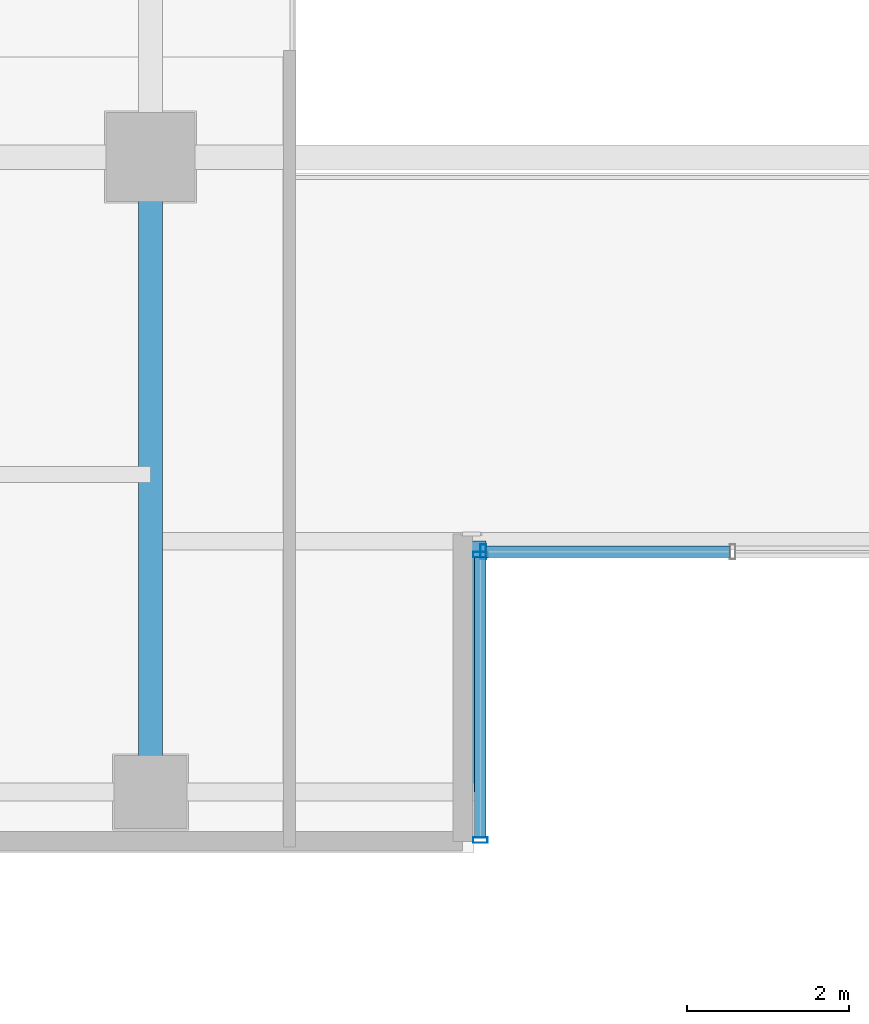
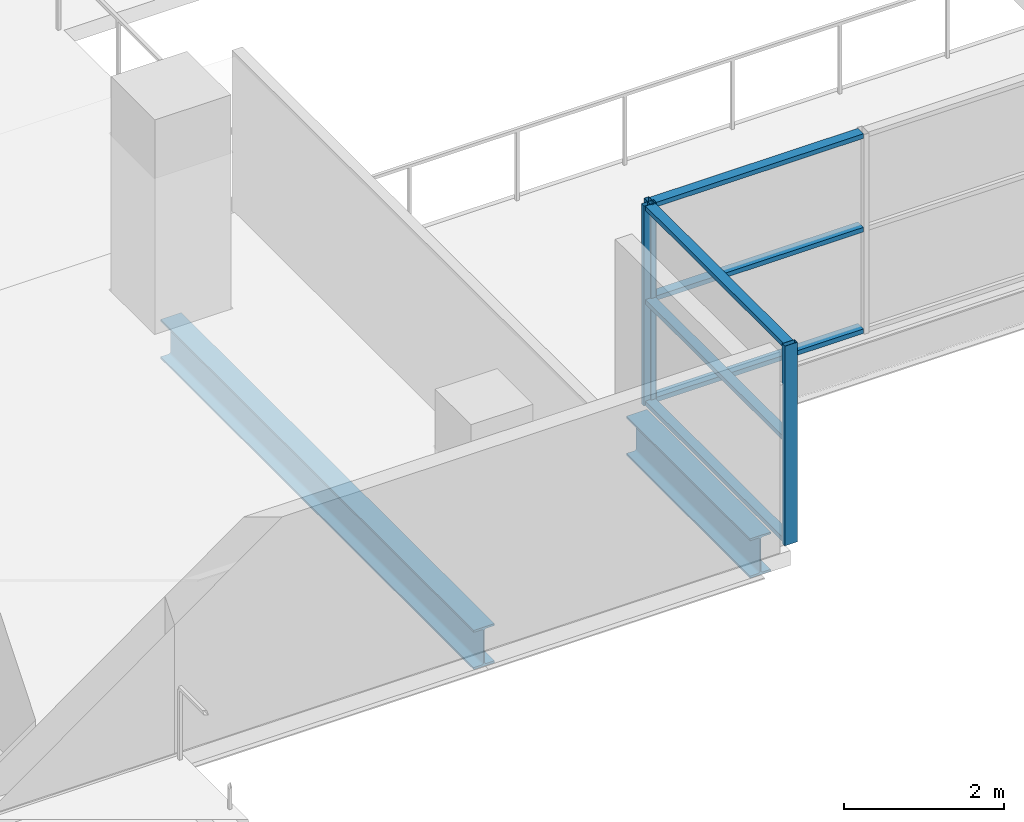
# One storey, part 6 of 30: 9 members, 2 beams, 2 elements without a shape of their own.
"""IFC4 building model written with IfcOpenShell, lengths in metres."""

from ifc_helpers import new_model, si_unit, direction, frame, origin, origin_2d, place, context, subcontext, project, spatial, hollow_rectangle, i_section, extrude, source, transform, mapped, material, layer, layer_set, material_profile, profile_set, type_object, element, aggregate, save


model = new_model("IFC4")

# Units and contexts
model_context = context("Model", 3, precision=1e-05, world=origin(), true_north=direction((0.0, 1.0)))
body_context = subcontext(model_context, "Body", "Model", "MODEL_VIEW")
ifc_project = project(units=[si_unit("LENGTHUNIT", "METRE"), si_unit("AREAUNIT", "SQUARE_METRE"), si_unit("VOLUMEUNIT", "CUBIC_METRE"), si_unit("PLANEANGLEUNIT", "RADIAN"), si_unit("MASSUNIT", "GRAM", prefix="KILO")], contexts=[model_context])

# Site, building, storey
site_placement = place(None, origin())
site = spatial("IfcSite", under=ifc_project, at=site_placement, CompositionType="ELEMENT")
building_placement = place(site_placement, origin())
building = spatial("IfcBuilding", under=site, at=building_placement, Name="Zarnakvel Exchange Tower", CompositionType="ELEMENT")
storey_placement = place(building_placement, frame((0.0, 0.0, 43.89990234375)))
storey = spatial("IfcBuildingStorey", under=building, at=storey_placement, Name="L11", CompositionType="ELEMENT", Elevation=43.89990234375)

# Beams
ifc_material_1 = material(Name="Steel S355", Category="steel")
ifc_material_profile_1 = material_profile(ifc_material_1, i_section(OverallWidth=0.300048828125, OverallDepth=0.60009765625, WebThickness=0.015380859375, FlangeThickness=0.030029296875, FilletRadius=0.027099609375, at=origin_2d()))
ifc_profile_set_1 = profile_set([ifc_material_profile_1], Name="Steel S355")
beam_type = type_object("IfcBeamType", Name="G-04", PredefinedType="BEAM", material=ifc_profile_set_1)
beam_1_placement = place(storey_placement, frame((-3.199951171875, -17.449951171875, -0.52490234375), z_axis=(0.0, 1.0, 0.0), x_axis=(-1.0, 0.0, 0.0)))
element("IfcBeam", 1, at=beam_1_placement, inside=storey, type_object=beam_type, Name="L11 South Slot West Cheek Beam", PredefinedType="BEAM", context=body_context, shape_type="SweptSolid", body=[
    extrude(i_section(OverallWidth=0.300048828125, OverallDepth=0.60009765625, WebThickness=0.015380859375, FlangeThickness=0.030029296875, FilletRadius=0.027099609375, at=origin_2d()), origin(), (0.0, 0.0, 1.0), 3.099853515625),
])
beam_2_placement = place(storey_placement, frame((-7.199951171875, -17.449951171875, -0.52490234375), z_axis=(0.0, 1.0, 0.0), x_axis=(-1.0, 0.0, 0.0)))
element("IfcBeam", 2, at=beam_2_placement, inside=storey, type_object=beam_type, Name="L11 Tower N-S Frame Beam", PredefinedType="BEAM", context=body_context, shape_type="SweptSolid", body=[
    extrude(i_section(OverallWidth=0.300048828125, OverallDepth=0.60009765625, WebThickness=0.015380859375, FlangeThickness=0.030029296875, FilletRadius=0.027099609375, at=origin_2d()), origin(), (0.0, 0.0, 1.0), 7.849853515625),
])

# Curtain wall, members
ifc_material_2 = material(Name="Architectural Bronze Anodised Aluminium", Category="aluminium")
ifc_layer = layer(ifc_material_2, 0.179931640625)
ifc_layer_set = layer_set([ifc_layer], Name="Architectural Bronze Anodised Aluminium")
curtain_wall_type = type_object("IfcCurtainWallType", Name="CW-05", PredefinedType="NOTDEFINED", material=ifc_layer_set)
curtain_wall_1_placement = place(storey_placement, origin())
curtain_wall_1 = element("IfcCurtainWall", 3, at=curtain_wall_1_placement, inside=storey, type_object=curtain_wall_type, Name="L11 Curtain Wall CW-L11-SLW (CW-05)", PredefinedType="NOTDEFINED")
ifc_material_profile_2 = material_profile(ifc_material_2, hollow_rectangle(XDim=0.179931640625, YDim=0.070068359375, WallThickness=0.00390625, at=origin_2d()))
ifc_profile_set_2 = profile_set([ifc_material_profile_2], Name="Architectural Bronze Anodised Aluminium")
member_type_1 = type_object("IfcMemberType", Name="CWM-05", PredefinedType="MULLION", material=ifc_profile_set_2)
shared_shape_1 = source(origin(), body_context, "Body", "SweptSolid", [
    extrude(hollow_rectangle(XDim=0.179931640625, YDim=0.070068359375, WallThickness=0.00390625, at=origin_2d()), origin(), (0.0, 0.0, 1.0), 3.05517578125),
])
member_1_placement = place(storey_placement, frame((-3.1201171875, -18.044921875, 0.0), z_axis=(0.0, 0.0, 1.0), x_axis=(-1.0, 0.0, 0.0)))
member_1 = element("IfcMember", 4, at=member_1_placement, type_object=member_type_1, Name="CW-05 mullion 1", PredefinedType="MULLION", context=body_context, shape_type="MappedRepresentation", body=[
    mapped(shared_shape_1, transform((0.0, 0.0, 0.0), x_axis=(1.0, 0.0, 0.0), y_axis=(0.0, 1.0, 0.0), z_axis=(0.0, 0.0, 1.0), scale=1.0)),
])
member_2_placement = place(storey_placement, frame((-3.1201171875, -14.514892578125, 0.0), z_axis=(0.0, 0.0, 1.0), x_axis=(-1.0, 0.0, 0.0)))
member_2 = element("IfcMember", 5, at=member_2_placement, type_object=member_type_1, Name="CW-05 mullion 2", PredefinedType="MULLION", context=body_context, shape_type="MappedRepresentation", body=[
    mapped(shared_shape_1, transform((0.0, 0.0, 0.0), x_axis=(1.0, 0.0, 0.0), y_axis=(0.0, 1.0, 0.0), z_axis=(0.0, 0.0, 1.0), scale=1.0)),
])

# Curtain wall, member
curtain_wall_2_placement = place(storey_placement, origin())
curtain_wall_2 = element("IfcCurtainWall", 6, at=curtain_wall_2_placement, inside=storey, type_object=curtain_wall_type, Name="L11 Curtain Wall CW-L11-SLB (CW-05)", PredefinedType="NOTDEFINED")
member_3_placement = place(storey_placement, frame((-3.0849609375, -14.47998046875, 0.0), z_axis=(0.0, 0.0, 1.0), x_axis=(0.0, 1.0, 0.0)))
member_3 = element("IfcMember", 7, at=member_3_placement, type_object=member_type_1, Name="CW-05 mullion 1", PredefinedType="MULLION", context=body_context, shape_type="MappedRepresentation", body=[
    mapped(shared_shape_1, transform((0.0, 0.0, 0.0), x_axis=(1.0, 0.0, 0.0), y_axis=(0.0, 1.0, 0.0), z_axis=(0.0, 0.0, 1.0), scale=1.0)),
])

# Member
ifc_material_profile_3 = material_profile(ifc_material_2, hollow_rectangle(XDim=0.139892578125, YDim=0.070068359375, WallThickness=0.00390625, at=origin_2d()))
ifc_profile_set_3 = profile_set([ifc_material_profile_3], Name="Architectural Bronze Anodised Aluminium")
member_type_2 = type_object("IfcMemberType", Name="CWT-05", PredefinedType="USERDEFINED", material=ifc_profile_set_3)
shared_shape_2 = source(origin(), body_context, "Body", "SweptSolid", [
    extrude(hollow_rectangle(XDim=0.139892578125, YDim=0.070068359375, WallThickness=0.00390625, at=origin_2d()), origin(), (0.0, 0.0, 1.0), 3.4599609375),
])
member_4_placement = place(storey_placement, frame((-3.1201171875, -18.010009765625, 0.03515625), z_axis=(0.0, 1.0, 0.0), x_axis=(-1.0, 0.0, 0.0)))
member_4 = element("IfcMember", 8, at=member_4_placement, type_object=member_type_2, Name="CW-05 transom 1.1", ObjectType="TRANSOM", PredefinedType="USERDEFINED", context=body_context, shape_type="MappedRepresentation", body=[
    mapped(shared_shape_2, transform((0.0, 0.0, 0.0), x_axis=(1.0, 0.0, 0.0), y_axis=(0.0, 1.0, 0.0), z_axis=(0.0, 0.0, 1.0), scale=1.0)),
])

member_5_placement = place(storey_placement, frame((-3.1201171875, -18.010009765625, 1.588623046875), z_axis=(0.0, 1.0, 0.0), x_axis=(-1.0, 0.0, 0.0)))
member_5 = element("IfcMember", 9, at=member_5_placement, type_object=member_type_2, Name="CW-05 transom 1.2", ObjectType="TRANSOM", PredefinedType="USERDEFINED", context=body_context, shape_type="MappedRepresentation", body=[
    mapped(shared_shape_2, transform((0.0, 0.0, 0.0), x_axis=(1.0, 0.0, 0.0), y_axis=(0.0, 1.0, 0.0), z_axis=(0.0, 0.0, 1.0), scale=1.0)),
])

member_6_placement = place(storey_placement, frame((-3.1201171875, -18.010009765625, 3.02001953125), z_axis=(0.0, 1.0, 0.0), x_axis=(-1.0, 0.0, 0.0)))
member_6 = element("IfcMember", 10, at=member_6_placement, type_object=member_type_2, Name="CW-05 transom 1.3", ObjectType="TRANSOM", PredefinedType="USERDEFINED", context=body_context, shape_type="MappedRepresentation", body=[
    mapped(shared_shape_2, transform((0.0, 0.0, 0.0), x_axis=(1.0, 0.0, 0.0), y_axis=(0.0, 1.0, 0.0), z_axis=(0.0, 0.0, 1.0), scale=1.0)),
])

aggregate(curtain_wall_1, [member_1, member_2, member_4, member_5, member_6])

shared_shape_3 = source(origin(), body_context, "Body", "SweptSolid", [
    extrude(hollow_rectangle(XDim=0.139892578125, YDim=0.070068359375, WallThickness=0.00390625, at=origin_2d()), origin(), (0.0, 0.0, 1.0), 3.01513671875),
])
member_7_placement = place(storey_placement, frame((-3.050048828125, -14.47998046875, 0.03515625), z_axis=(1.0, 0.0, 0.0), x_axis=(0.0, 1.0, 0.0)))
member_7 = element("IfcMember", 11, at=member_7_placement, type_object=member_type_2, Name="CW-05 transom 1.1", ObjectType="TRANSOM", PredefinedType="USERDEFINED", context=body_context, shape_type="MappedRepresentation", body=[
    mapped(shared_shape_3, transform((0.0, 0.0, 0.0), x_axis=(1.0, 0.0, 0.0), y_axis=(0.0, 1.0, 0.0), z_axis=(0.0, 0.0, 1.0), scale=1.0)),
])

member_8_placement = place(storey_placement, frame((-3.050048828125, -14.47998046875, 1.588623046875), z_axis=(1.0, 0.0, 0.0), x_axis=(0.0, 1.0, 0.0)))
member_8 = element("IfcMember", 12, at=member_8_placement, type_object=member_type_2, Name="CW-05 transom 1.2", ObjectType="TRANSOM", PredefinedType="USERDEFINED", context=body_context, shape_type="MappedRepresentation", body=[
    mapped(shared_shape_3, transform((0.0, 0.0, 0.0), x_axis=(1.0, 0.0, 0.0), y_axis=(0.0, 1.0, 0.0), z_axis=(0.0, 0.0, 1.0), scale=1.0)),
])

member_9_placement = place(storey_placement, frame((-3.050048828125, -14.47998046875, 3.02001953125), z_axis=(1.0, 0.0, 0.0), x_axis=(0.0, 1.0, 0.0)))
member_9 = element("IfcMember", 13, at=member_9_placement, type_object=member_type_2, Name="CW-05 transom 1.3", ObjectType="TRANSOM", PredefinedType="USERDEFINED", context=body_context, shape_type="MappedRepresentation", body=[
    mapped(shared_shape_3, transform((0.0, 0.0, 0.0), x_axis=(1.0, 0.0, 0.0), y_axis=(0.0, 1.0, 0.0), z_axis=(0.0, 0.0, 1.0), scale=1.0)),
])

aggregate(curtain_wall_2, [member_3, member_7, member_8, member_9])

save(model, "model.ifc")
